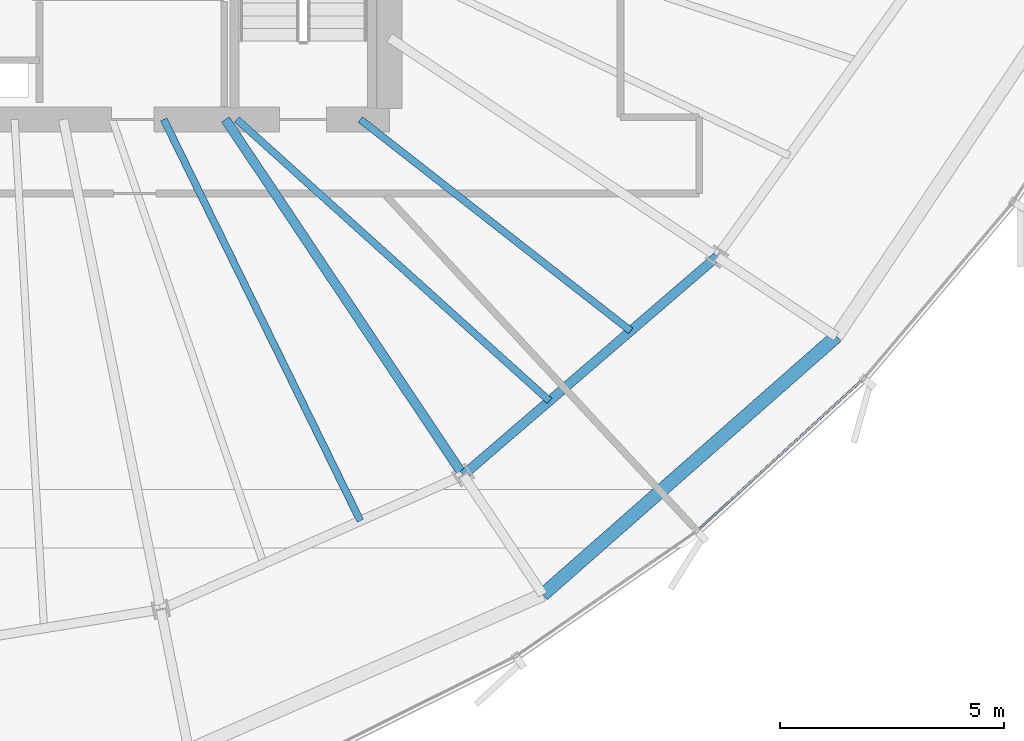
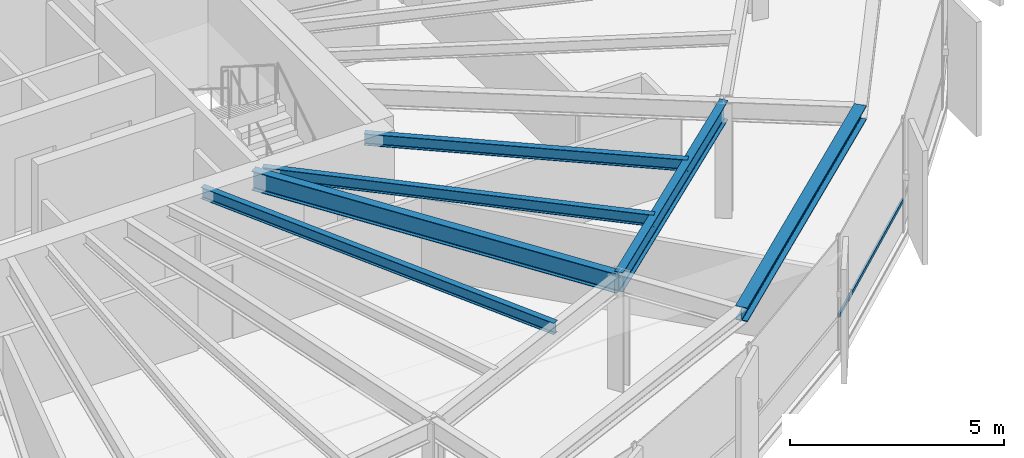
# One storey, part 13 of 32: 6 beams, 1 member, 1 element without a shape of its own.
"""IFC4 building model written with IfcOpenShell, lengths in metres."""

from ifc_helpers import new_model, si_unit, direction, frame, origin, origin_2d, place, context, subcontext, project, spatial, hollow_rectangle, i_section, extrude, source, transform, mapped, material, layer, layer_set, material_profile, profile_set, type_object, element, aggregate, save


model = new_model("IFC4")

# Units and contexts
model_context = context("Model", 3, precision=1e-05, world=origin(), true_north=direction((0.0, 1.0)))
body_context = subcontext(model_context, "Body", "Model", "MODEL_VIEW")
ifc_project = project(units=[si_unit("LENGTHUNIT", "METRE"), si_unit("AREAUNIT", "SQUARE_METRE"), si_unit("VOLUMEUNIT", "CUBIC_METRE"), si_unit("PLANEANGLEUNIT", "RADIAN"), si_unit("MASSUNIT", "GRAM", prefix="KILO"), si_unit("THERMODYNAMICTEMPERATUREUNIT", "KELVIN")], contexts=[model_context])

# Site, building, storey
site_placement = place(None, origin())
site = spatial("IfcSite", under=ifc_project, at=site_placement, CompositionType="ELEMENT")
building_placement = place(site_placement, origin())
building = spatial("IfcBuilding", under=site, at=building_placement, Name="Kethvar Cultural Tower", CompositionType="ELEMENT")
storey_placement = place(building_placement, frame((0.0, 0.0, 157.199951171875)))
storey = spatial("IfcBuildingStorey", under=building, at=storey_placement, Name="L40", CompositionType="ELEMENT", Elevation=157.199951171875)

# Beams
ifc_material_1 = material(Name="Steel S355J2", Category="steel")
ifc_material_profile_1 = material_profile(ifc_material_1, i_section(OverallWidth=0.2099609375, OverallDepth=0.550048828125, WebThickness=0.010986328125, FlangeThickness=0.01708984375, FilletRadius=0.02392578125, at=origin_2d()), Name="Steel S355J2 — IPE550")
ifc_profile_set_1 = profile_set([ifc_material_profile_1], Name="Steel S355J2 — IPE550")
beam_type_1 = type_object("IfcBeamType", Name="BM-IPE550", PredefinedType="BEAM", material=ifc_profile_set_1)
shared_shape_1 = source(origin(), body_context, "Body", "SweptSolid", [
    extrude(i_section(OverallWidth=0.2099609375, OverallDepth=0.550048828125, WebThickness=0.010986328125, FlangeThickness=0.01708984375, FilletRadius=0.02392578125, at=origin_2d()), origin(), (0.0, 0.0, 1.0), 9.534423828125),
])
beam_1_placement = place(storey_placement, frame((51.945068359375, 20.10009765625, 3.02294921875), z_axis=(0.555550817894, -0.831482584747, 0.0), x_axis=(0.831482584747, 0.555550817894, 0.0)))
element("IfcBeam", 1, at=beam_1_placement, inside=storey, type_object=beam_type_1, Name="L40 Primary Radial Beam RB-14", PredefinedType="BEAM", context=body_context, shape_type="MappedRepresentation", body=[
    mapped(shared_shape_1, transform((0.0, 0.0, 0.0), scale=1.0)),
])
ifc_material_profile_2 = material_profile(ifc_material_1, i_section(OverallWidth=0.159912109375, OverallDepth=0.330078125, WebThickness=0.007568359375, FlangeThickness=0.011474609375, FilletRadius=0.01806640625, at=origin_2d()), Name="Steel S355J2 — IPE330")
ifc_profile_set_2 = profile_set([ifc_material_profile_2], Name="Steel S355J2 — IPE330")
beam_type_2 = type_object("IfcBeamType", Name="BM-J330", PredefinedType="JOIST", material=ifc_profile_set_2)
shared_shape_2 = source(origin(), body_context, "Body", "SweptSolid", [
    extrude(i_section(OverallWidth=0.159912109375, OverallDepth=0.330078125, WebThickness=0.007568359375, FlangeThickness=0.011474609375, FilletRadius=0.01806640625, at=origin_2d()), origin(), (0.0, 0.0, 1.0), 9.959228515625),
])
beam_2_placement = place(storey_placement, frame((50.57080078125, 20.10009765625, 3.133056640625), z_axis=(0.439785134514, -0.898103020516, 0.0), x_axis=(0.898103020516, 0.439785134514, 0.0)))
element("IfcBeam", 2, at=beam_2_placement, inside=storey, type_object=beam_type_2, Name="L40 Composite Floor Joist J-13B", PredefinedType="JOIST", context=body_context, shape_type="MappedRepresentation", body=[
    mapped(shared_shape_2, transform((0.0, 0.0, 0.0), scale=1.0)),
])
shared_shape_3 = source(origin(), body_context, "Body", "SweptSolid", [
    extrude(i_section(OverallWidth=0.2099609375, OverallDepth=0.550048828125, WebThickness=0.010986328125, FlangeThickness=0.01708984375, FilletRadius=0.02392578125, at=origin_2d()), origin(), (0.0, 0.0, 1.0), 7.46484375),
])
beam_3_placement = place(storey_placement, frame((57.241943359375, 12.17236328125, 3.02294921875), z_axis=(0.757784075291, 0.652505398625, 0.0), x_axis=(-0.652505398625, 0.757784075291, 0.0)))
element("IfcBeam", 3, at=beam_3_placement, inside=storey, type_object=beam_type_1, Name="L40 Column Ring Tie Beam CR-14", PredefinedType="BEAM", context=body_context, shape_type="MappedRepresentation", body=[
    mapped(shared_shape_3, transform((0.0, 0.0, 0.0), scale=1.0)),
])
ifc_material_profile_3 = material_profile(ifc_material_1, i_section(OverallWidth=0.300048828125, OverallDepth=0.39990234375, WebThickness=0.013427734375, FlangeThickness=0.02392578125, FilletRadius=0.027099609375, at=origin_2d()), Name="Steel S355J2 — HEB400")
ifc_profile_set_3 = profile_set([ifc_material_profile_3], Name="Steel S355J2 — HEB400")
beam_type_3 = type_object("IfcBeamType", Name="BM-SP400", PredefinedType="SPANDREL", material=ifc_profile_set_3)
shared_shape_4 = source(origin(), body_context, "Body", "SweptSolid", [
    extrude(i_section(OverallWidth=0.300048828125, OverallDepth=0.39990234375, WebThickness=0.013427734375, FlangeThickness=0.02392578125, FilletRadius=0.027099609375, at=origin_2d()), origin(), (0.0, 0.0, 1.0), 8.71044921875),
])
beam_4_placement = place(storey_placement, frame((59.019775390625, 9.51171875, 3.09814453125), z_axis=(0.75077856833, 0.660553965498, 0.0), x_axis=(-0.660553965498, 0.75077856833, 0.0)))
element("IfcBeam", 4, at=beam_4_placement, inside=storey, type_object=beam_type_3, Name="L40 Perimeter Spandrel Beam SP-14", PredefinedType="SPANDREL", context=body_context, shape_type="MappedRepresentation", body=[
    mapped(shared_shape_4, transform((0.0, 0.0, 0.0), scale=1.0)),
])
shared_shape_5 = source(origin(), body_context, "Body", "SweptSolid", [
    extrude(i_section(OverallWidth=0.159912109375, OverallDepth=0.330078125, WebThickness=0.007568359375, FlangeThickness=0.011474609375, FilletRadius=0.01806640625, at=origin_2d()), origin(), (0.0, 0.0, 1.0), 9.372802734375),
])
beam_5_placement = place(storey_placement, frame((52.199951171875, 20.10009765625, 3.133056640625), z_axis=(0.743151656479, -0.669123019685, 0.0), x_axis=(0.669123019685, 0.743151656479, 0.0)))
element("IfcBeam", 5, at=beam_5_placement, inside=storey, type_object=beam_type_2, Name="L40 Composite Floor Joist J-14A", PredefinedType="JOIST", context=body_context, shape_type="MappedRepresentation", body=[
    mapped(shared_shape_5, transform((0.0, 0.0, 0.0), scale=1.0)),
])
shared_shape_6 = source(origin(), body_context, "Body", "SweptSolid", [
    extrude(i_section(OverallWidth=0.159912109375, OverallDepth=0.330078125, WebThickness=0.007568359375, FlangeThickness=0.011474609375, FilletRadius=0.01806640625, at=origin_2d()), origin(), (0.0, 0.0, 1.0), 7.649658203125),
])
beam_6_placement = place(storey_placement, frame((54.949951171875, 20.10009765625, 3.133056640625), z_axis=(0.787671994752, -0.616094821179, 0.0), x_axis=(0.616094821179, 0.787671994752, 0.0)))
element("IfcBeam", 6, at=beam_6_placement, inside=storey, type_object=beam_type_2, Name="L40 Composite Floor Joist J-14B", PredefinedType="JOIST", context=body_context, shape_type="MappedRepresentation", body=[
    mapped(shared_shape_6, transform((0.0, 0.0, 0.0), scale=1.0)),
])

# Curtain wall, member
ifc_material_2 = material(Name="Aluminium 6063-T6", Category="aluminium")
ifc_layer = layer(ifc_material_2, 0.179931640625, Name="Aluminium 6063-T6", Category="aluminium")
ifc_layer_set = layer_set([ifc_layer], Name="Aluminium 6063-T6 (180 mm)")
curtain_wall_type = type_object("IfcCurtainWallType", Name="CW-SYS-04-Z34", PredefinedType="NOTDEFINED", material=ifc_layer_set)
curtain_wall_placement = place(storey_placement, origin())
curtain_wall = element("IfcCurtainWall", 7, at=curtain_wall_placement, inside=storey, type_object=curtain_wall_type, Name="L40 Curtain Wall Run 05", PredefinedType="NOTDEFINED")
ifc_material_profile_4 = material_profile(ifc_material_2, hollow_rectangle(XDim=0.050048828125, YDim=0.10009765625, WallThickness=0.00390625, at=origin_2d()), Name="Aluminium 6063-T6 — RHS100x50x4")
ifc_profile_set_4 = profile_set([ifc_material_profile_4], Name="Aluminium 6063-T6 — RHS100x50x4")
member_type = type_object("IfcMemberType", Name="CW-SYS-04-Z34-TRN", PredefinedType="USERDEFINED", material=ifc_profile_set_4)
shared_shape_7 = source(origin(), body_context, "Body", "SweptSolid", [
    extrude(hollow_rectangle(XDim=0.050048828125, YDim=0.10009765625, WallThickness=0.00390625, at=origin_2d()), origin(), (0.0, 0.0, 1.0), 4.95703125),
])
member_placement = place(storey_placement, frame((62.486083984375, 10.9609375, 0.949951171875), z_axis=(0.737948916743, 0.674856574598, 0.0), x_axis=(-0.674856574598, 0.737948916743, 0.0)))
member = element("IfcMember", 8, at=member_placement, type_object=member_type, Name="CW-L40-R05 Transom 5", ObjectType="TRANSOM", PredefinedType="USERDEFINED", context=body_context, shape_type="MappedRepresentation", body=[
    mapped(shared_shape_7, transform((0.0, 0.0, 0.0), scale=1.0)),
])
aggregate(curtain_wall, [member])

save(model, "model.ifc")
